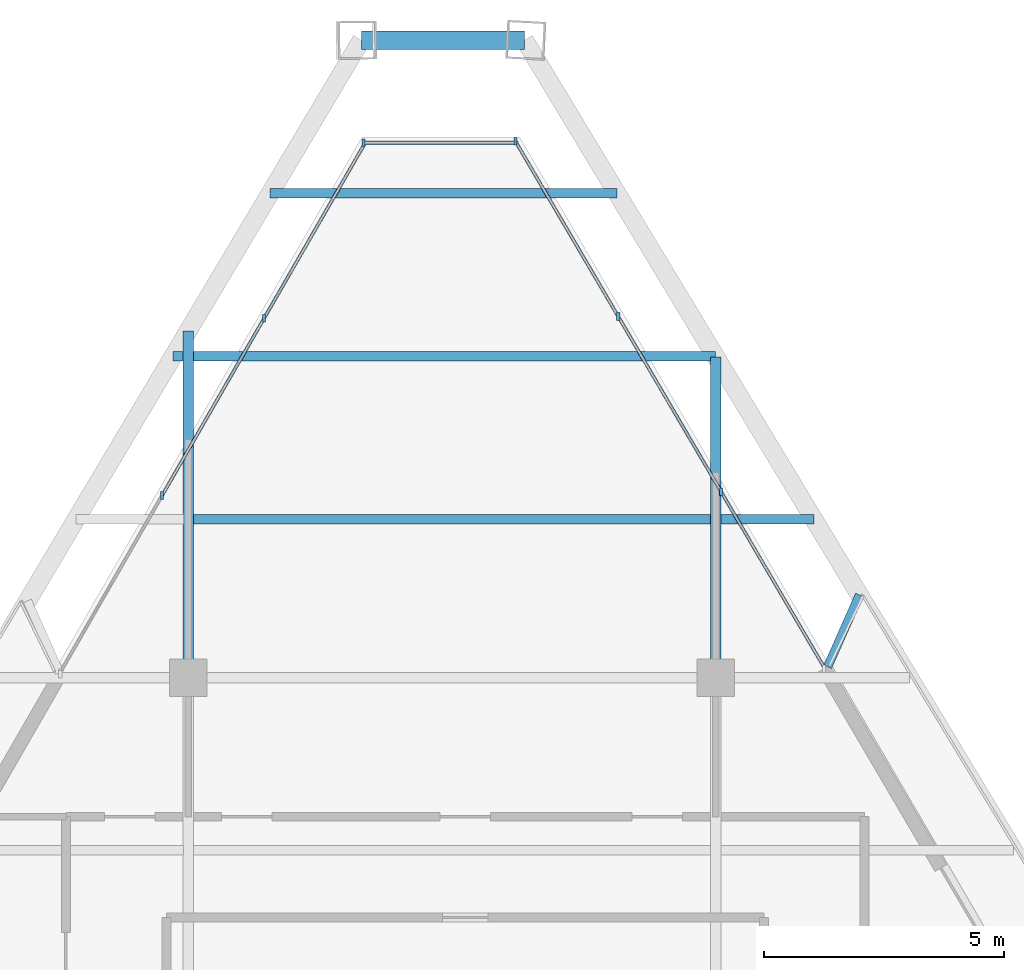
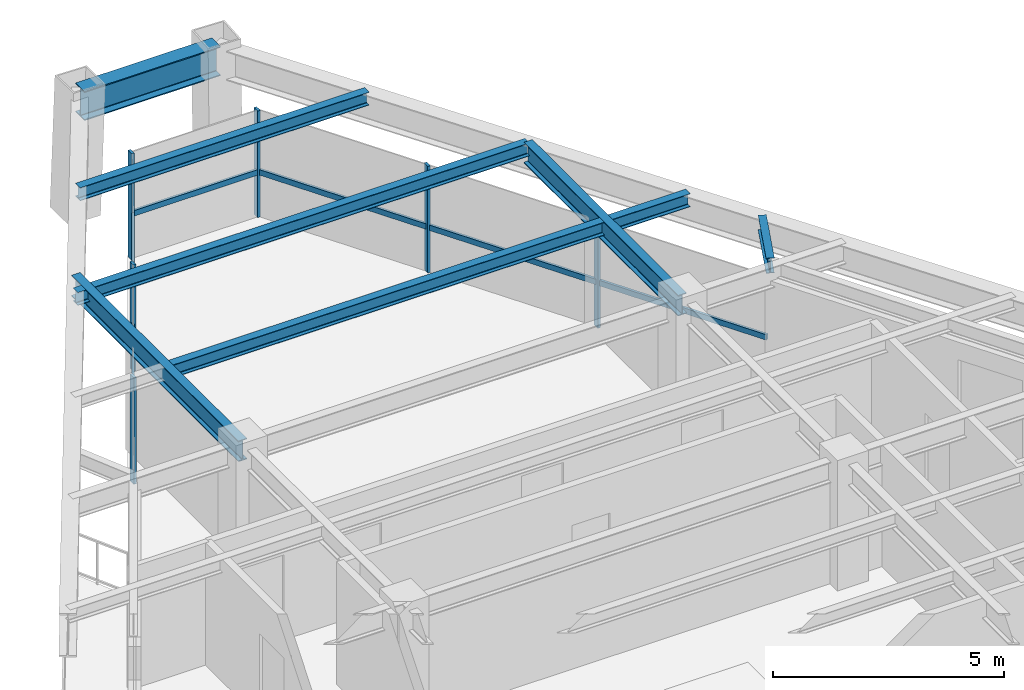
# One storey, part 7 of 13: 12 members, 8 beams, 3 elements without a shape of their own.
"""IFC4 building model written with IfcOpenShell, lengths in metres."""

from ifc_helpers import new_model, si_unit, direction, frame, origin, origin_2d, place, context, subcontext, project, spatial, rectangle, i_section, extrude, source, transform, mapped, material, material_profile, profile_set, type_object, element, aggregate, save


model = new_model("IFC4")

# Units and contexts
model_context = context("Model", 3, precision=1e-05, world=origin(), true_north=direction((0.0, 1.0)))
body_context = subcontext(model_context, "Body", "Model", "MODEL_VIEW")
ifc_project = project(units=[si_unit("LENGTHUNIT", "METRE"), si_unit("AREAUNIT", "SQUARE_METRE"), si_unit("VOLUMEUNIT", "CUBIC_METRE"), si_unit("PLANEANGLEUNIT", "RADIAN"), si_unit("MASSUNIT", "GRAM", prefix="KILO")], contexts=[model_context])

# Site, building, storey
site_placement = place(None, origin())
site = spatial("IfcSite", under=ifc_project, at=site_placement, CompositionType="ELEMENT")
building_placement = place(site_placement, origin())
building = spatial("IfcBuilding", under=site, at=building_placement, Name="Varnakhor Terracotta Tower", CompositionType="ELEMENT")
storey_placement = place(building_placement, frame((0.0, 0.0, 283.35009765625)))
storey = spatial("IfcBuildingStorey", under=building, at=storey_placement, Name="L74", CompositionType="ELEMENT", Elevation=283.35009765625)

# Beams
ifc_material_1 = material(Name="Steel S355", Category="steel")
ifc_material_profile_1 = material_profile(ifc_material_1, i_section(OverallWidth=0.202880859375, OverallDepth=0.346923828125, WebThickness=0.0078125, FlangeThickness=0.013427734375, FilletRadius=0.01806640625, at=origin_2d()), Name="W14X43")
ifc_profile_set_1 = profile_set([ifc_material_profile_1], Name="Steel S355")
beam_type_1 = type_object("IfcBeamType", Name="JST-W14X43", PredefinedType="JOIST", material=ifc_profile_set_1)
shared_shape_1 = source(origin(), body_context, "Body", "SweptSolid", [
    extrude(i_section(OverallWidth=0.202880859375, OverallDepth=0.346923828125, WebThickness=0.0078125, FlangeThickness=0.013427734375, FilletRadius=0.01806640625, at=origin_2d()), origin(), (0.0, 0.0, 1.0), 10.7939453125),
])
beam_1_placement = place(storey_placement, frame((-5.39697265625, 34.800048828125, 3.06640625), z_axis=(1.0, 0.0, 0.0), x_axis=(0.0, 1.0, 0.0)))
element("IfcBeam", 1, at=beam_1_placement, inside=storey, type_object=beam_type_1, Name="L74 Composite Floor Joist 7-2", PredefinedType="JOIST", context=body_context, shape_type="MappedRepresentation", body=[
    mapped(shared_shape_1, transform((0.0, 0.0, 0.0), scale=1.0)),
])
ifc_material_profile_2 = material_profile(ifc_material_1, i_section(OverallWidth=0.381103515625, OverallDepth=0.77294921875, WebThickness=0.01708984375, FlangeThickness=0.027099609375, FilletRadius=0.01806640625, at=origin_2d()), Name="W30X173")
ifc_profile_set_2 = profile_set([ifc_material_profile_2], Name="Steel S355")
beam_type_2 = type_object("IfcBeamType", Name="BM-W30X173", PredefinedType="BEAM", material=ifc_profile_set_2)
shared_shape_2 = source(origin(), body_context, "Body", "SweptSolid", [
    extrude(i_section(OverallWidth=0.381103515625, OverallDepth=0.77294921875, WebThickness=0.01708984375, FlangeThickness=0.027099609375, FilletRadius=0.01806640625, at=origin_2d()), origin(), (0.0, 0.0, 1.0), 3.404052734375),
])
beam_2_placement = place(storey_placement, frame((1.51123046875, 44.791259765625, 2.853515625), z_axis=(-1.0, 0.0, 0.0), x_axis=(0.0, -1.0, 0.0)))
element("IfcBeam", 2, at=beam_2_placement, inside=storey, type_object=beam_type_2, Name="L74 Perimeter Spandrel 5", PredefinedType="BEAM", context=body_context, shape_type="MappedRepresentation", body=[
    mapped(shared_shape_2, transform((0.0, 0.0, 0.0), scale=1.0)),
])
ifc_material_profile_3 = material_profile(ifc_material_1, i_section(OverallWidth=0.214111328125, OverallDepth=0.549072265625, WebThickness=0.014892578125, FlangeThickness=0.02392578125, FilletRadius=0.01806640625, at=origin_2d()), Name="W21X93")
ifc_profile_set_3 = profile_set([ifc_material_profile_3], Name="Steel S355")
beam_type_3 = type_object("IfcBeamType", Name="BM-W21X93", PredefinedType="BEAM", material=ifc_profile_set_3)
shared_shape_3 = source(origin(), body_context, "Body", "SweptSolid", [
    extrude(i_section(OverallWidth=0.214111328125, OverallDepth=0.549072265625, WebThickness=0.014892578125, FlangeThickness=0.02392578125, FilletRadius=0.01806640625, at=origin_2d()), origin(), (0.0, 0.0, 1.0), 7.23193359375),
])
beam_3_placement = place(storey_placement, frame((-5.5, 31.5, 2.96533203125), z_axis=(0.0, 1.0, 0.0), x_axis=(-1.0, 0.0, 0.0)))
element("IfcBeam", 3, at=beam_3_placement, inside=storey, type_object=beam_type_3, Name="L74 Primary Girder NS3-W", PredefinedType="BEAM", context=body_context, shape_type="MappedRepresentation", body=[
    mapped(shared_shape_3, transform((0.0, 0.0, 0.0), scale=1.0)),
])
shared_shape_4 = source(origin(), body_context, "Body", "SweptSolid", [
    extrude(i_section(OverallWidth=0.214111328125, OverallDepth=0.549072265625, WebThickness=0.014892578125, FlangeThickness=0.02392578125, FilletRadius=0.01806640625, at=origin_2d()), origin(), (0.0, 0.0, 1.0), 6.685302734375),
])
beam_4_placement = place(storey_placement, frame((5.5, 31.5, 2.96533203125), z_axis=(0.0, 1.0, 0.0), x_axis=(-1.0, 0.0, 0.0)))
element("IfcBeam", 4, at=beam_4_placement, inside=storey, type_object=beam_type_3, Name="L74 Primary Girder NS3-E", PredefinedType="BEAM", context=body_context, shape_type="MappedRepresentation", body=[
    mapped(shared_shape_4, transform((0.0, 0.0, 0.0), scale=1.0)),
])
shared_shape_5 = source(origin(), body_context, "Body", "SweptSolid", [
    extrude(i_section(OverallWidth=0.202880859375, OverallDepth=0.346923828125, WebThickness=0.0078125, FlangeThickness=0.013427734375, FilletRadius=0.01806640625, at=origin_2d()), origin(), (0.0, 0.0, 1.0), 1.941162109375),
])
beam_5_placement = place(storey_placement, frame((5.60302734375, 34.800048828125, 3.06640625), z_axis=(1.0, 0.0, 0.0), x_axis=(0.0, 1.0, 0.0)))
element("IfcBeam", 5, at=beam_5_placement, inside=storey, type_object=beam_type_1, Name="L74 Composite Floor Joist 7-3", PredefinedType="JOIST", context=body_context, shape_type="MappedRepresentation", body=[
    mapped(shared_shape_5, transform((0.0, 0.0, 0.0), scale=1.0)),
])
shared_shape_6 = source(origin(), body_context, "Body", "SweptSolid", [
    extrude(i_section(OverallWidth=0.202880859375, OverallDepth=0.346923828125, WebThickness=0.0078125, FlangeThickness=0.013427734375, FilletRadius=0.01806640625, at=origin_2d()), origin(), (0.0, 0.0, 1.0), 11.307861328125),
])
beam_6_placement = place(storey_placement, frame((-5.816650390625, 38.199951171875, 3.06640625), z_axis=(1.0, 0.0, 0.0), x_axis=(0.0, 1.0, 0.0)))
element("IfcBeam", 6, at=beam_6_placement, inside=storey, type_object=beam_type_1, Name="L74 Composite Floor Joist 8-1", PredefinedType="JOIST", context=body_context, shape_type="MappedRepresentation", body=[
    mapped(shared_shape_6, transform((0.0, 0.0, 0.0), scale=1.0)),
])
shared_shape_7 = source(origin(), body_context, "Body", "SweptSolid", [
    extrude(i_section(OverallWidth=0.202880859375, OverallDepth=0.346923828125, WebThickness=0.0078125, FlangeThickness=0.013427734375, FilletRadius=0.01806640625, at=origin_2d()), origin(), (0.0, 0.0, 1.0), 7.23095703125),
])
beam_7_placement = place(storey_placement, frame((-3.792724609375, 41.60009765625, 3.06640625), z_axis=(1.0, 0.0, 0.0), x_axis=(0.0, 1.0, 0.0)))
element("IfcBeam", 7, at=beam_7_placement, inside=storey, type_object=beam_type_1, Name="L74 Composite Floor Joist 9-1", PredefinedType="JOIST", context=body_context, shape_type="MappedRepresentation", body=[
    mapped(shared_shape_7, transform((0.0, 0.0, 0.0), scale=1.0)),
])

# Curtain wall, members
ifc_material_2 = material(Name="Anodised Aluminium Curtain Wall System", Category="aluminium")
curtain_wall_type = type_object("IfcCurtainWallType", Name="CW-SYS-HOTEL-LOGGIA", PredefinedType="NOTDEFINED", material=ifc_material_2)
curtain_wall_1_placement = place(storey_placement, origin())
curtain_wall_1 = element("IfcCurtainWall", 8, at=curtain_wall_1_placement, inside=storey, type_object=curtain_wall_type, Name="L74 W Facet Curtain Wall 2", PredefinedType="NOTDEFINED")
ifc_material_3 = material(Name="Anodised Aluminium 6063-T6", Category="aluminium")
ifc_material_profile_4 = material_profile(ifc_material_3, rectangle(XDim=0.06494140625, YDim=0.159912109375, at=origin_2d()), Name="ALU MULLION 65x160")
ifc_profile_set_4 = profile_set([ifc_material_profile_4], Name="Anodised Aluminium 6063-T6")
member_type_1 = type_object("IfcMemberType", Name="CWM-04", PredefinedType="MULLION", material=ifc_profile_set_4)
shared_shape_8 = source(origin(), body_context, "Body", "SweptSolid", [
    extrude(rectangle(XDim=0.06494140625, YDim=0.159912109375, at=origin_2d()), origin(), (0.0, 0.0, 1.0), 2.81982421875),
])
member_1_placement = place(storey_placement, frame((-6.04443359375, 35.298583984375, 0.0), z_axis=(0.0, 0.0, 1.0), x_axis=(1.0, 0.0, 0.0)))
member_1 = element("IfcMember", 9, at=member_1_placement, type_object=member_type_1, Name="L74 W Facet Curtain Wall 2 Mullion 2", PredefinedType="MULLION", context=body_context, shape_type="MappedRepresentation", body=[
    mapped(shared_shape_8, transform((0.0, 0.0, 0.0), scale=1.0)),
])
member_2_placement = place(storey_placement, frame((-3.91748046875, 38.992919921875, 0.0), z_axis=(0.0, 0.0, 1.0), x_axis=(1.0, 0.0, 0.0)))
member_2 = element("IfcMember", 10, at=member_2_placement, type_object=member_type_1, Name="L74 W Facet Curtain Wall 2 Mullion 3", PredefinedType="MULLION", context=body_context, shape_type="MappedRepresentation", body=[
    mapped(shared_shape_8, transform((0.0, 0.0, 0.0), scale=1.0)),
])

# Curtain wall, member
curtain_wall_2_placement = place(storey_placement, origin())
curtain_wall_2 = element("IfcCurtainWall", 11, at=curtain_wall_2_placement, inside=storey, type_object=curtain_wall_type, Name="L74 Facet Curtain Wall 2", PredefinedType="NOTDEFINED")
member_3_placement = place(storey_placement, frame((-1.84912109375, 42.65283203125, 0.0), z_axis=(0.0, 0.0, 1.0), x_axis=(1.0, 0.0, 0.0)))
member_3 = element("IfcMember", 12, at=member_3_placement, type_object=member_type_1, Name="L74 Facet Curtain Wall 2 Mullion 1", PredefinedType="MULLION", context=body_context, shape_type="MappedRepresentation", body=[
    mapped(shared_shape_8, transform((0.0, 0.0, 0.0), scale=1.0)),
])

# Curtain wall, members
curtain_wall_3_placement = place(storey_placement, origin())
curtain_wall_3 = element("IfcCurtainWall", 13, at=curtain_wall_3_placement, inside=storey, type_object=curtain_wall_type, Name="L74 E Facet Curtain Wall 1", PredefinedType="NOTDEFINED")
member_4_placement = place(storey_placement, frame((1.319580078125, 42.686279296875, 0.0), z_axis=(0.0, 0.0, 1.0), x_axis=(1.0, 0.0, 0.0)))
member_4 = element("IfcMember", 14, at=member_4_placement, type_object=member_type_1, Name="L74 E Facet Curtain Wall 1 Mullion 1", PredefinedType="MULLION", context=body_context, shape_type="MappedRepresentation", body=[
    mapped(shared_shape_8, transform((0.0, 0.0, 0.0), scale=1.0)),
])
member_5_placement = place(storey_placement, frame((3.46435546875, 39.031494140625, 0.0), z_axis=(0.0, 0.0, 1.0), x_axis=(1.0, 0.0, 0.0)))
member_5 = element("IfcMember", 15, at=member_5_placement, type_object=member_type_1, Name="L74 E Facet Curtain Wall 1 Mullion 2", PredefinedType="MULLION", context=body_context, shape_type="MappedRepresentation", body=[
    mapped(shared_shape_8, transform((0.0, 0.0, 0.0), scale=1.0)),
])
member_6_placement = place(storey_placement, frame((5.60888671875, 35.376708984375, 0.0), z_axis=(0.0, 0.0, 1.0), x_axis=(1.0, 0.0, 0.0)))
member_6 = element("IfcMember", 16, at=member_6_placement, type_object=member_type_1, Name="L74 E Facet Curtain Wall 1 Mullion 3", PredefinedType="MULLION", context=body_context, shape_type="MappedRepresentation", body=[
    mapped(shared_shape_8, transform((0.0, 0.0, 0.0), scale=1.0)),
])

# Member
ifc_material_profile_5 = material_profile(ifc_material_3, rectangle(XDim=0.06494140625, YDim=0.14501953125, at=origin_2d()), Name="ALU TRANSOM 65x145")
ifc_profile_set_5 = profile_set([ifc_material_profile_5], Name="Anodised Aluminium 6063-T6")
member_type_2 = type_object("IfcMemberType", Name="CWT-04", PredefinedType="USERDEFINED", material=ifc_profile_set_5)
shared_shape_9 = source(origin(), body_context, "Body", "SweptSolid", [
    extrude(rectangle(XDim=0.06494140625, YDim=0.14501953125, at=origin_2d()), origin(), (0.0, 0.0, 1.0), 4.2626953125),
])
member_7_placement = place(storey_placement, frame((-3.91748046875, 38.992919921875, 1.184326171875), z_axis=(0.499016581823, 0.866592436539, 0.0), x_axis=(-0.866592436539, 0.499016581823, 0.0)))
member_7 = element("IfcMember", 17, at=member_7_placement, type_object=member_type_2, Name="L74 W Facet Curtain Wall 2 Transom 3", ObjectType="TRANSOM", PredefinedType="USERDEFINED", context=body_context, shape_type="MappedRepresentation", body=[
    mapped(shared_shape_9, transform((0.0, 0.0, 0.0), scale=1.0)),
])

shared_shape_10 = source(origin(), body_context, "Body", "SweptSolid", [
    extrude(rectangle(XDim=0.06494140625, YDim=0.14501953125, at=origin_2d()), origin(), (0.0, 0.0, 1.0), 4.262939453125),
])
member_8_placement = place(storey_placement, frame((-6.04443359375, 35.298583984375, 1.184326171875), z_axis=(0.498948803757, 0.866631462174, 0.0), x_axis=(-0.866631462174, 0.498948803757, 0.0)))
member_8 = element("IfcMember", 18, at=member_8_placement, type_object=member_type_2, Name="L74 W Facet Curtain Wall 2 Transom 2", ObjectType="TRANSOM", PredefinedType="USERDEFINED", context=body_context, shape_type="MappedRepresentation", body=[
    mapped(shared_shape_10, transform((0.0, 0.0, 0.0), scale=1.0)),
])

aggregate(curtain_wall_1, [member_1, member_8, member_2, member_7])

shared_shape_11 = source(origin(), body_context, "Body", "SweptSolid", [
    extrude(rectangle(XDim=0.06494140625, YDim=0.14501953125, at=origin_2d()), origin(), (0.0, 0.0, 1.0), 3.22705078125),
])
member_9_placement = place(storey_placement, frame((-1.84912109375, 42.65283203125, 1.184326171875), z_axis=(1.0, 0.0, 0.0), x_axis=(0.0, 1.0, 0.0)))
member_9 = element("IfcMember", 19, at=member_9_placement, type_object=member_type_2, Name="L74 Facet Curtain Wall 2 Transom 1", ObjectType="TRANSOM", PredefinedType="USERDEFINED", context=body_context, shape_type="MappedRepresentation", body=[
    mapped(shared_shape_11, transform((0.0, 0.0, 0.0), scale=1.0)),
])

aggregate(curtain_wall_2, [member_3, member_9])

shared_shape_12 = source(origin(), body_context, "Body", "SweptSolid", [
    extrude(rectangle(XDim=0.06494140625, YDim=0.14501953125, at=origin_2d()), origin(), (0.0, 0.0, 1.0), 4.237548828125),
])
member_10_placement = place(storey_placement, frame((1.319580078125, 42.686279296875, 1.184326171875), z_axis=(0.506126045223, -0.86245952157, 0.0), x_axis=(0.86245952157, 0.506126045223, 0.0)))
member_10 = element("IfcMember", 20, at=member_10_placement, type_object=member_type_2, Name="L74 E Facet Curtain Wall 1 Transom 1", ObjectType="TRANSOM", PredefinedType="USERDEFINED", context=body_context, shape_type="MappedRepresentation", body=[
    mapped(shared_shape_12, transform((0.0, 0.0, 0.0), scale=1.0)),
])

member_11_placement = place(storey_placement, frame((3.46435546875, 39.031494140625, 1.184326171875), z_axis=(0.506083189053, -0.862484669868, 0.0), x_axis=(0.862484669868, 0.506083189053, 0.0)))
member_11 = element("IfcMember", 21, at=member_11_placement, type_object=member_type_2, Name="L74 E Facet Curtain Wall 1 Transom 2", ObjectType="TRANSOM", PredefinedType="USERDEFINED", context=body_context, shape_type="MappedRepresentation", body=[
    mapped(shared_shape_12, transform((0.0, 0.0, 0.0), scale=1.0)),
])

member_12_placement = place(storey_placement, frame((5.60888671875, 35.376708984375, 1.184326171875), z_axis=(0.506194047971, -0.862419611209, 0.0), x_axis=(0.862419611209, 0.506194047971, 0.0)))
member_12 = element("IfcMember", 22, at=member_12_placement, type_object=member_type_2, Name="L74 E Facet Curtain Wall 1 Transom 3", ObjectType="TRANSOM", PredefinedType="USERDEFINED", context=body_context, shape_type="MappedRepresentation", body=[
    mapped(shared_shape_12, transform((0.0, 0.0, 0.0), scale=1.0)),
])

aggregate(curtain_wall_3, [member_4, member_10, member_5, member_11, member_6, member_12])

# Beam
ifc_material_profile_6 = material_profile(ifc_material_1, i_section(OverallWidth=0.179931640625, OverallDepth=0.39990234375, WebThickness=0.008544921875, FlangeThickness=0.013427734375, FilletRadius=0.01806640625, at=origin_2d()), Name="IPE400")
ifc_profile_set_6 = profile_set([ifc_material_profile_6], Name="Steel S355")
beam_type_4 = type_object("IfcBeamType", Name="JST-IPE400", PredefinedType="JOIST", material=ifc_profile_set_6)
shared_shape_13 = source(origin(), body_context, "Body", "SweptSolid", [
    extrude(i_section(OverallWidth=0.179931640625, OverallDepth=0.39990234375, WebThickness=0.008544921875, FlangeThickness=0.013427734375, FilletRadius=0.01806640625, at=origin_2d()), origin(), (0.0, 0.0, 1.0), 1.640625),
])
beam_8_placement = place(storey_placement, frame((7.829345703125, 31.72607421875, 3.039794921875), z_axis=(0.405489457798, 0.914099720826, 0.0), x_axis=(-0.914099720826, 0.405489457798, 0.0)))
element("IfcBeam", 23, at=beam_8_placement, inside=storey, type_object=beam_type_4, Name="L75 E Loggia Tie Beam 1", PredefinedType="JOIST", context=body_context, shape_type="MappedRepresentation", body=[
    mapped(shared_shape_13, transform((0.0, 0.0, 0.0), scale=1.0)),
])

save(model, "model.ifc")
